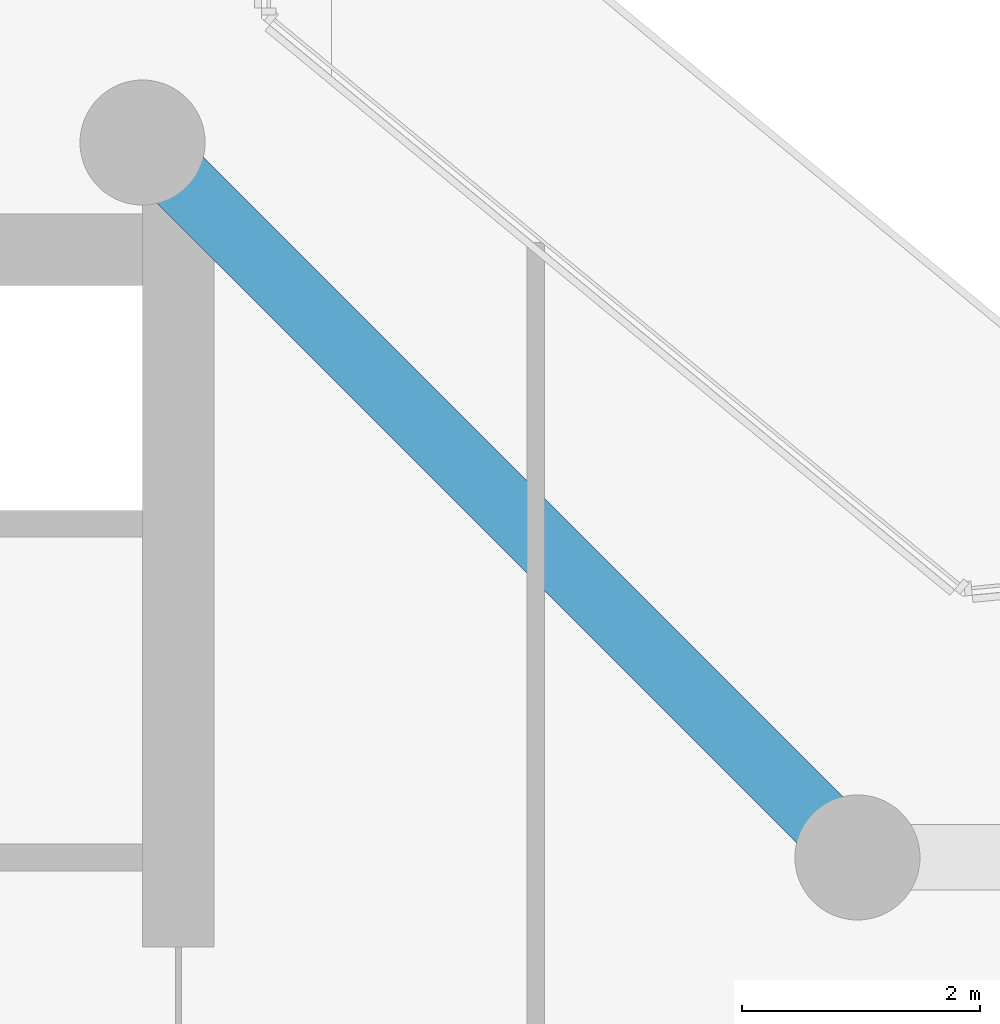
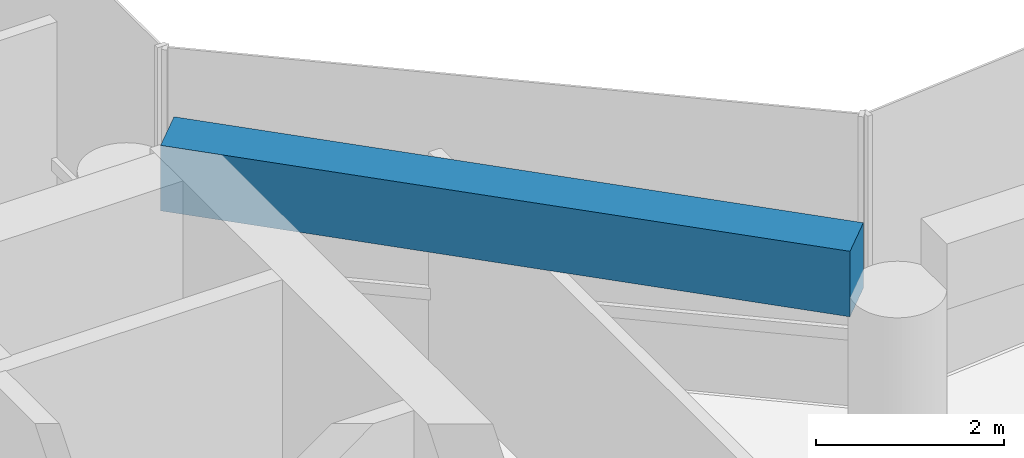
# One storey, part 6 of 22: 1 beam.
"""IFC4 building model written with IfcOpenShell, lengths in metres."""

from ifc_helpers import new_model, si_unit, direction, frame, origin, origin_2d, place, context, subcontext, project, spatial, rectangle, extrude, material, material_profile, profile_set, type_object, element, save


model = new_model("IFC4")

# Units and contexts
model_context = context("Model", 3, precision=1e-05, world=origin(), true_north=direction((0.0, 1.0)))
body_context = subcontext(model_context, "Body", "Model", "MODEL_VIEW")
ifc_project = project(units=[si_unit("LENGTHUNIT", "METRE"), si_unit("AREAUNIT", "SQUARE_METRE"), si_unit("VOLUMEUNIT", "CUBIC_METRE"), si_unit("PLANEANGLEUNIT", "RADIAN"), si_unit("MASSUNIT", "GRAM", prefix="KILO")], contexts=[model_context])

# Site, building, storey
site_placement = place(None, origin())
site = spatial("IfcSite", under=ifc_project, at=site_placement, CompositionType="ELEMENT")
building_placement = place(site_placement, origin())
building = spatial("IfcBuilding", under=site, at=building_placement, Name="Welwitschia Terrace Campus", CompositionType="ELEMENT")
storey_placement = place(building_placement, frame((0.0, 0.0, 192.800048828125)))
storey = spatial("IfcBuildingStorey", under=building, at=storey_placement, Name="L43", CompositionType="ELEMENT", Elevation=192.800048828125)

# Beam
ifc_material = material(Name="Concrete C50/60", Category="concrete")
ifc_material_profile = material_profile(ifc_material, rectangle(XDim=0.550048828125, YDim=0.85009765625, at=origin_2d()))
ifc_profile_set = profile_set([ifc_material_profile], Name="Concrete C50/60")
beam_type = type_object("IfcBeamType", Name="Ring spandrel 550x850", PredefinedType="SPANDREL", material=ifc_profile_set)
beam_placement = place(storey_placement, frame((29.68310546875, 20.31689453125, 3.375), z_axis=(-0.707106781187, 0.707106781187, 0.0), x_axis=(-0.707106781187, -0.707106781187, 0.0)))
element("IfcBeam", 1, at=beam_placement, inside=storey, type_object=beam_type, Name="Spandrel SP3", PredefinedType="SPANDREL", context=body_context, shape_type="SweptSolid", body=[
    extrude(rectangle(XDim=0.550048828125, YDim=0.85009765625, at=origin_2d()), origin(), (0.0, 0.0, 1.0), 7.5888671875),
])

save(model, "model.ifc")
